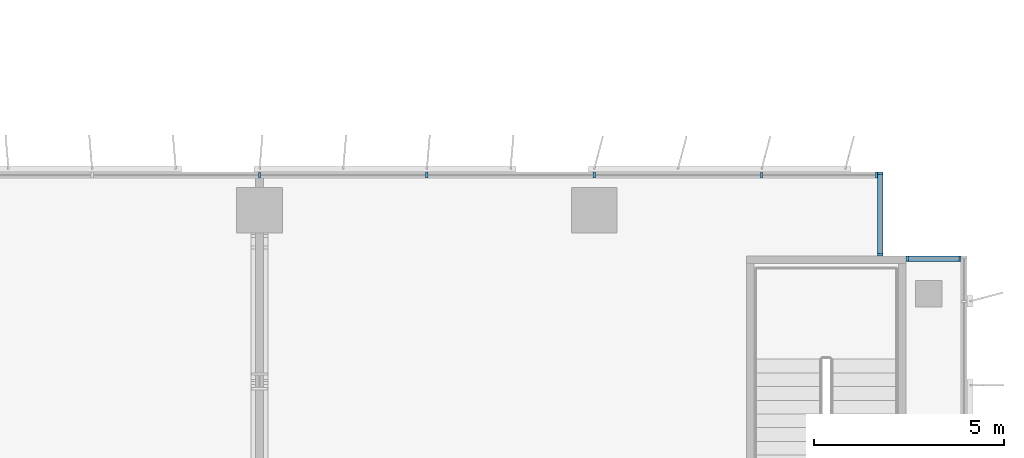
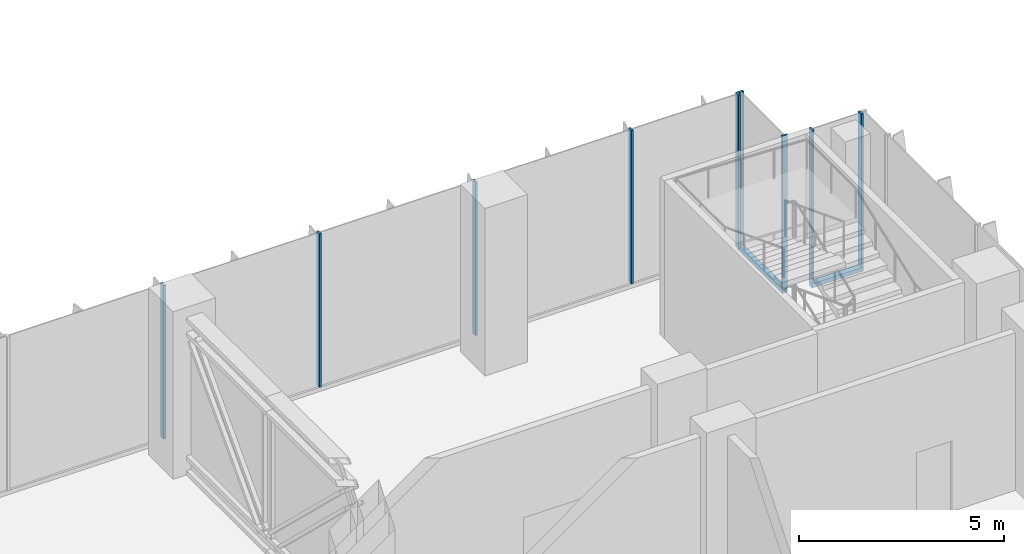
# One storey, part 4 of 21: 11 members, 3 elements without a shape of their own.
"""IFC4 building model written with IfcOpenShell, lengths in metres."""

import ifcopenshell
import ifcopenshell.guid

model = None  # the IFC model being written
_history = None  # IfcOwnerHistory: only IFC2X3 demands one
_inside = {}  # id of a spatial element -> (the spatial element, [elements in it])
_under = {}  # id of a project, library or spatial element -> (it, [spatial elements below it])
_declared = {}  # id of a project -> (the project, [libraries it declares])
_typed = {}  # id of a type object -> (the type object, [elements of that type])
_made_of = {}  # id of a material, layer set ... -> (it, [elements and type objects made of it])


def new_model(schema):
    """Start an empty IFC model of exactly this schema.

    Asked for "IFC4X3", IfcOpenShell would pick the latest addendum, in which some entities
    have other attributes; the version numbers below select the first issue.
    IFC2X3 requires an IfcOwnerHistory on every rooted entity: one is made here for all.
    """
    global model, _history
    if schema == "IFC4X3":
        model = ifcopenshell.file(schema_version=(4, 3, 0, 0))
    else:
        model = ifcopenshell.file(schema=schema)
    _inside.clear()
    _under.clear()
    _declared.clear()
    _typed.clear()
    _made_of.clear()
    _history = None
    if model.schema == "IFC2X3":
        org = make("IfcOrganization", Name="unknown")
        user = make(
            "IfcPersonAndOrganization",
            ThePerson=make("IfcPerson", FamilyName="unknown"),
            TheOrganization=org,
        )
        app = make(
            "IfcApplication",
            ApplicationDeveloper=org,
            Version="unknown",
            ApplicationFullName="unknown",
            ApplicationIdentifier="unknown",
        )
        _history = make(
            "IfcOwnerHistory",
            OwningUser=user,
            OwningApplication=app,
            ChangeAction="ADDED",
            CreationDate=0,
        )
    return model


def make(cls, **values):
    """One entity of the class cls with the attributes given. An attribute that is None is left unset."""
    return model.create_entity(
        cls, **{name: value for name, value in values.items() if value is not None}
    )


def rooted(cls, **values):
    """An entity with a GlobalId (a new one), such as an element, a storey or a relation."""
    return make(cls, GlobalId=ifcopenshell.guid.new(), OwnerHistory=_history, **values)


def si_unit(unit_type, name, prefix=None):
    """IfcSIUnit, for example si_unit("LENGTHUNIT", "METRE", prefix="MILLI")."""
    return make("IfcSIUnit", UnitType=unit_type, Prefix=prefix, Name=name)


def assignment(units):
    """IfcUnitAssignment: the units of a project."""
    return None if units is None else make("IfcUnitAssignment", Units=units)


def point(xyz):
    """IfcCartesianPoint."""
    return None if xyz is None else make("IfcCartesianPoint", Coordinates=xyz)


def direction(xyz):
    """IfcDirection."""
    return None if xyz is None else make("IfcDirection", DirectionRatios=xyz)


def frame(location, z_axis=None, x_axis=None):
    """IfcAxis2Placement3D, a coordinate frame: its origin and axes. An axis left out is left unset."""
    return make(
        "IfcAxis2Placement3D",
        Location=point(location),
        Axis=direction(z_axis),
        RefDirection=direction(x_axis),
    )


def frame_2d(location, x_axis=None):
    """IfcAxis2Placement2D, a coordinate frame in the plane: its origin and x axis."""
    return make(
        "IfcAxis2Placement2D", Location=point(location), RefDirection=direction(x_axis)
    )


def origin():
    """The frame at (0, 0, 0) with its axes left unset."""
    return frame((0.0, 0.0, 0.0))


def origin_2d():
    """The frame at (0, 0) in the plane with its x axis left unset."""
    return frame_2d((0.0, 0.0))


def place(relative_to, where):
    """IfcLocalPlacement: puts the frame where relative to a parent placement (None: the world)."""
    return make(
        "IfcLocalPlacement", PlacementRelTo=relative_to, RelativePlacement=where
    )


def context(
    kind, dimensions, precision=None, world=None, true_north=None, identifier=None
):
    """IfcGeometricRepresentationContext, for example the 3D "Model" context."""
    return make(
        "IfcGeometricRepresentationContext",
        ContextIdentifier=identifier,
        ContextType=kind,
        CoordinateSpaceDimension=dimensions,
        Precision=precision,
        WorldCoordinateSystem=world,
        TrueNorth=true_north,
    )


def subcontext(parent, identifier, kind, view, scale=None):
    """IfcGeometricRepresentationSubContext, for example "Body" below "Model"."""
    return make(
        "IfcGeometricRepresentationSubContext",
        ContextIdentifier=identifier,
        ContextType=kind,
        ParentContext=parent,
        TargetScale=scale,
        TargetView=view,
    )


def project(units=None, contexts=None):
    """IfcProject with its units and contexts."""
    return rooted(
        "IfcProject",
        Name="project",
        RepresentationContexts=contexts,
        UnitsInContext=assignment(units),
    )


def spatial(cls, under=None, at=None, **own):
    """A site, building, storey or space (cls), placed at a placement, below another one or the project."""
    s = rooted(cls, ObjectPlacement=at, **own)
    if under is not None:
        _under.setdefault(under.id(), (under, []))[1].append(s)
    return s


def profile(cls, at=None, kind="AREA", **sizes):
    """A parametric profile (cls). Its sizes go by their IFC names, for example OverallWidth=200.0."""
    return make(cls, ProfileType=kind, Position=at, **sizes)


def rectangle(**sizes):
    """IfcRectangleProfileDef."""
    return profile("IfcRectangleProfileDef", **sizes)


def extrude(swept, where, along, depth):
    """IfcExtrudedAreaSolid: the profile swept, set in the frame where, extruded along a direction by depth."""
    return make(
        "IfcExtrudedAreaSolid",
        SweptArea=swept,
        Position=where,
        ExtrudedDirection=direction(along),
        Depth=depth,
    )


def shape(context_of_items, identifier, shape_type, items):
    """IfcShapeRepresentation: the items that make up one representation, for example the "Body"."""
    return make(
        "IfcShapeRepresentation",
        ContextOfItems=context_of_items,
        RepresentationIdentifier=identifier,
        RepresentationType=shape_type,
        Items=items,
    )


def source(mapping_origin, context_of_items, identifier, shape_type, items):
    """IfcRepresentationMap: a shape defined once, which mapped items show again and again."""
    return make(
        "IfcRepresentationMap",
        MappingOrigin=mapping_origin,
        MappedRepresentation=shape(context_of_items, identifier, shape_type, items),
    )


def transform(
    local_origin,
    x_axis=None,
    y_axis=None,
    z_axis=None,
    scale=None,
    scale2=None,
    scale3=None,
    uniform=True,
):
    """IfcCartesianTransformationOperator3D, or its non-uniform kind. x_axis, y_axis, z_axis: its Axis1, 2, 3."""
    if uniform:
        return make(
            "IfcCartesianTransformationOperator3D",
            Axis1=direction(x_axis),
            Axis2=direction(y_axis),
            LocalOrigin=point(local_origin),
            Scale=scale,
            Axis3=direction(z_axis),
        )
    return make(
        "IfcCartesianTransformationOperator3DnonUniform",
        Axis1=direction(x_axis),
        Axis2=direction(y_axis),
        LocalOrigin=point(local_origin),
        Scale=scale,
        Axis3=direction(z_axis),
        Scale2=scale2,
        Scale3=scale3,
    )


def mapped(mapping_source, mapping_target):
    """IfcMappedItem: shows the shape of a source again, moved by a transform."""
    return make(
        "IfcMappedItem", MappingSource=mapping_source, MappingTarget=mapping_target
    )


def material(Name=None, Category=None):
    """IfcMaterial."""
    return make("IfcMaterial", Name=Name, Category=Category)


def material_profile(
    of_material, cross_section, Name=None, Category=None, Priority=None
):
    """IfcMaterialProfile: a cross section and its material."""
    return make(
        "IfcMaterialProfile",
        Name=Name,
        Material=of_material,
        Profile=cross_section,
        Priority=Priority,
        Category=Category,
    )


def profile_set(profiles, Name=None, composite=None):
    """IfcMaterialProfileSet."""
    return make(
        "IfcMaterialProfileSet",
        Name=Name,
        MaterialProfiles=profiles,
        CompositeProfile=composite,
    )


def made_of(thing, what):
    """Note that an element or type object is made of a material, layer set ...; save() writes the relation."""
    if what is not None:
        _made_of.setdefault(what.id(), (what, []))[1].append(thing)
    return thing


def type_object(cls, material=None, **own):
    """A type object (cls), such as IfcWallType, which elements share."""
    return made_of(rooted(cls, **own), material)


def element(
    cls,
    number,
    at=None,
    inside=None,
    cuts=None,
    type_object=None,
    material=None,
    context=None,
    identifier="Body",
    shape_type=None,
    held_by="IfcProductDefinitionShape",
    body=None,
    shapes=None,
    **own,
):
    """One element of the class cls, such as IfcWall. Its Tag is "e" and its number.

    at: its placement. inside: the storey or other place that contains it. cuts: it is an
    opening in that element (IfcRelVoidsElement). A single representation is given by context,
    identifier, shape_type and body (its items); several are given by shapes. held_by: the class
    of the entity that holds the representations. save() writes the other relations.
    """
    e = rooted(cls, Tag="e%d" % number, ObjectPlacement=at, **own)
    if body is not None:
        shapes = [shape(context, identifier, shape_type, body)]
    if shapes is not None:
        e.Representation = make(held_by, Representations=shapes)
    if inside is not None:
        _inside.setdefault(inside.id(), (inside, []))[1].append(e)
    if cuts is not None:
        rooted(
            "IfcRelVoidsElement", RelatingBuildingElement=cuts, RelatedOpeningElement=e
        )
    if type_object is not None:
        _typed.setdefault(type_object.id(), (type_object, []))[1].append(e)
    return made_of(e, material)


def aggregate(whole, parts):
    """IfcRelAggregates: a whole, such as a stair, and the parts it consists of."""
    return rooted("IfcRelAggregates", RelatingObject=whole, RelatedObjects=parts)


def save(model, path):
    """Write the relations noted so far, then the file.

    IfcRelAggregates (storeys below a building ...), IfcRelContainedInSpatialStructure (elements
    in a storey), IfcRelDefinesByType, IfcRelAssociatesMaterial and IfcRelDeclares: one each for
    every whole, place, type object, material and project.
    """
    for whole, parts in _under.values():
        aggregate(whole, parts)
    for where, things in _inside.values():
        rooted(
            "IfcRelContainedInSpatialStructure",
            RelatedElements=things,
            RelatingStructure=where,
        )
    for kind, things in _typed.values():
        rooted("IfcRelDefinesByType", RelatedObjects=things, RelatingType=kind)
    for what, things in _made_of.values():
        rooted("IfcRelAssociatesMaterial", RelatedObjects=things, RelatingMaterial=what)
    for by, libraries in _declared.values():
        rooted("IfcRelDeclares", RelatingContext=by, RelatedDefinitions=libraries)
    model.write(path)


model = new_model("IFC4")

# Units and contexts
model_context = context("Model", 3, precision=1e-05, world=origin(), true_north=direction((0.0, 1.0)))
body_context = subcontext(model_context, "Body", "Model", "MODEL_VIEW")
ifc_project = project(units=[si_unit("LENGTHUNIT", "METRE"), si_unit("AREAUNIT", "SQUARE_METRE"), si_unit("VOLUMEUNIT", "CUBIC_METRE"), si_unit("PLANEANGLEUNIT", "RADIAN"), si_unit("MASSUNIT", "GRAM", prefix="KILO")], contexts=[model_context])

# Site, building, storey
site_placement = place(None, origin())
site = spatial("IfcSite", under=ifc_project, at=site_placement, CompositionType="ELEMENT")
building_placement = place(site_placement, origin())
building = spatial("IfcBuilding", under=site, at=building_placement, Name="Kemantara Hotel Tower", CompositionType="ELEMENT")
storey_placement = place(building_placement, frame((0.0, 0.0, 133.300048828125)))
storey = spatial("IfcBuildingStorey", under=building, at=storey_placement, Name="L32", CompositionType="ELEMENT", Elevation=133.300048828125)

# Curtain wall, member
ifc_material_1 = material(Name="Low-E tinted double insulated glass 36 mm", Category="glass")
curtain_wall_type = type_object("IfcCurtainWallType", Name="TOWER CURTAIN WALL, FRONT FACES", PredefinedType="USERDEFINED", material=ifc_material_1)
curtain_wall_1_placement = place(storey_placement, origin())
curtain_wall_1 = element("IfcCurtainWall", 1, at=curtain_wall_1_placement, inside=storey, type_object=curtain_wall_type, Name="CW4 L32 T2-R11-1", ObjectType="TOWER CURTAIN WALL, FRONT FACES", PredefinedType="USERDEFINED")
ifc_material_2 = material(Name="Aluminium 6063-T6 bronze anodised", Category="aluminium")
ifc_material_profile_1 = material_profile(ifc_material_2, rectangle(XDim=0.14990234375, YDim=0.1201171875, at=origin_2d()), Name="TOWER CURTAIN WALL, FRONT FACES TRANSOM")
ifc_profile_set_1 = profile_set([ifc_material_profile_1], Name="Aluminium 6063-T6 bronze anodised")
member_type_1 = type_object("IfcMemberType", Name="TOWER CURTAIN WALL, FRONT FACES TRANSOM", PredefinedType="USERDEFINED", material=ifc_profile_set_1)
member_1_placement = place(storey_placement, frame((63.449951171875, 19.72509765625, 0.06005859375), z_axis=(-1.0, 0.0, 0.0), x_axis=(0.0, -1.0, 0.0)))
member_1 = element("IfcMember", 2, at=member_1_placement, type_object=member_type_1, Name="CW4 sill transom T2-R11-1", ObjectType="TRANSOM", PredefinedType="USERDEFINED", context=body_context, shape_type="SweptSolid", body=[
    extrude(rectangle(XDim=0.14990234375, YDim=0.1201171875, at=origin_2d()), origin(), (0.0, 0.0, 1.0), 1.449951171875),
])

curtain_wall_2_placement = place(storey_placement, origin())
curtain_wall_2 = element("IfcCurtainWall", 3, at=curtain_wall_2_placement, inside=storey, type_object=curtain_wall_type, Name="CW4 L32 T2-R12-1", ObjectType="TOWER CURTAIN WALL, FRONT FACES", PredefinedType="USERDEFINED")
member_2_placement = place(storey_placement, frame((61.324951171875, 19.800048828125, 0.06005859375), z_axis=(0.0, 1.0, 0.0), x_axis=(-1.0, 0.0, 0.0)))
member_2 = element("IfcMember", 4, at=member_2_placement, type_object=member_type_1, Name="CW4 sill transom T2-R12-1", ObjectType="TRANSOM", PredefinedType="USERDEFINED", context=body_context, shape_type="SweptSolid", body=[
    extrude(rectangle(XDim=0.14990234375, YDim=0.1201171875, at=origin_2d()), origin(), (0.0, 0.0, 1.0), 2.199951171875),
])

# Curtain wall, members
curtain_wall_3_placement = place(storey_placement, origin())
curtain_wall_3 = element("IfcCurtainWall", 5, at=curtain_wall_3_placement, inside=storey, type_object=curtain_wall_type, Name="CW4 L32 T2-R13-1", ObjectType="TOWER CURTAIN WALL, FRONT FACES", PredefinedType="USERDEFINED")
ifc_material_profile_2 = material_profile(ifc_material_2, rectangle(XDim=0.14990234375, YDim=0.06005859375, at=origin_2d()), Name="TOWER CURTAIN WALL, FRONT FACES MULLION")
ifc_profile_set_2 = profile_set([ifc_material_profile_2], Name="Aluminium 6063-T6 bronze anodised")
member_type_2 = type_object("IfcMemberType", Name="TOWER CURTAIN WALL, FRONT FACES MULLION", PredefinedType="MULLION", material=ifc_profile_set_2)
shared_shape = source(origin(), body_context, "Body", "SweptSolid", [
    extrude(rectangle(XDim=0.14990234375, YDim=0.06005859375, at=origin_2d()), origin(), (0.0, 0.0, 1.0), 4.580078125),
])
member_3_placement = place(storey_placement, frame((61.219970703125, 21.925048828125, 0.119873046875), z_axis=(0.0, 0.0, 1.0), x_axis=(0.0, -1.0, 0.0)))
member_3 = element("IfcMember", 6, at=member_3_placement, type_object=member_type_2, Name="CW4 mullion T2-R13-1.1", PredefinedType="MULLION", context=body_context, shape_type="MappedRepresentation", body=[
    mapped(shared_shape, transform((0.0, 0.0, 0.0))),
])
member_4_placement = place(storey_placement, frame((58.199951171875, 21.925048828125, 0.119873046875), z_axis=(0.0, 0.0, 1.0), x_axis=(0.0, -1.0, 0.0)))
member_4 = element("IfcMember", 7, at=member_4_placement, type_object=member_type_2, Name="CW4 mullion T2-R13-1.2", PredefinedType="MULLION", context=body_context, shape_type="MappedRepresentation", body=[
    mapped(shared_shape, transform((0.0, 0.0, 0.0))),
])
member_5_placement = place(storey_placement, frame((53.800048828125, 21.925048828125, 0.119873046875), z_axis=(0.0, 0.0, 1.0), x_axis=(0.0, -1.0, 0.0)))
member_5 = element("IfcMember", 8, at=member_5_placement, type_object=member_type_2, Name="CW4 mullion T2-R13-1.3", PredefinedType="MULLION", context=body_context, shape_type="MappedRepresentation", body=[
    mapped(shared_shape, transform((0.0, 0.0, 0.0))),
])
member_6_placement = place(storey_placement, frame((49.39990234375, 21.925048828125, 0.119873046875), z_axis=(0.0, 0.0, 1.0), x_axis=(0.0, -1.0, 0.0)))
member_6 = element("IfcMember", 9, at=member_6_placement, type_object=member_type_2, Name="CW4 mullion T2-R13-1.4", PredefinedType="MULLION", context=body_context, shape_type="MappedRepresentation", body=[
    mapped(shared_shape, transform((0.0, 0.0, 0.0))),
])
member_7_placement = place(storey_placement, frame((45.0, 21.925048828125, 0.119873046875), z_axis=(0.0, 0.0, 1.0), x_axis=(0.0, -1.0, 0.0)))
member_7 = element("IfcMember", 10, at=member_7_placement, type_object=member_type_2, Name="CW4 mullion T2-R13-1.5", PredefinedType="MULLION", context=body_context, shape_type="MappedRepresentation", body=[
    mapped(shared_shape, transform((0.0, 0.0, 0.0))),
])
aggregate(curtain_wall_3, [member_3, member_4, member_5, member_6, member_7])

# Member
member_8_placement = place(storey_placement, frame((63.419921875, 19.72509765625, 0.119873046875), z_axis=(0.0, 0.0, 1.0), x_axis=(0.0, -1.0, 0.0)))
member_8 = element("IfcMember", 11, at=member_8_placement, type_object=member_type_2, Name="CW4 mullion T2-R11-1.1", PredefinedType="MULLION", context=body_context, shape_type="MappedRepresentation", body=[
    mapped(shared_shape, transform((0.0, 0.0, 0.0))),
])

member_9_placement = place(storey_placement, frame((62.030029296875, 19.72509765625, 0.119873046875), z_axis=(0.0, 0.0, 1.0), x_axis=(0.0, -1.0, 0.0)))
member_9 = element("IfcMember", 12, at=member_9_placement, type_object=member_type_2, Name="CW4 mullion T2-R11-1.2", PredefinedType="MULLION", context=body_context, shape_type="MappedRepresentation", body=[
    mapped(shared_shape, transform((0.0, 0.0, 0.0))),
])

aggregate(curtain_wall_1, [member_1, member_8, member_9])

member_10_placement = place(storey_placement, frame((61.324951171875, 19.830078125, 0.119873046875), z_axis=(0.0, 0.0, 1.0), x_axis=(-1.0, 0.0, 0.0)))
member_10 = element("IfcMember", 13, at=member_10_placement, type_object=member_type_2, Name="CW4 mullion T2-R12-1.1", PredefinedType="MULLION", context=body_context, shape_type="MappedRepresentation", body=[
    mapped(shared_shape, transform((0.0, 0.0, 0.0))),
])

member_11_placement = place(storey_placement, frame((61.324951171875, 21.969970703125, 0.119873046875), z_axis=(0.0, 0.0, 1.0), x_axis=(-1.0, 0.0, 0.0)))
member_11 = element("IfcMember", 14, at=member_11_placement, type_object=member_type_2, Name="CW4 mullion T2-R12-1.2", PredefinedType="MULLION", context=body_context, shape_type="MappedRepresentation", body=[
    mapped(shared_shape, transform((0.0, 0.0, 0.0))),
])

aggregate(curtain_wall_2, [member_2, member_10, member_11])

save(model, "model.ifc")
